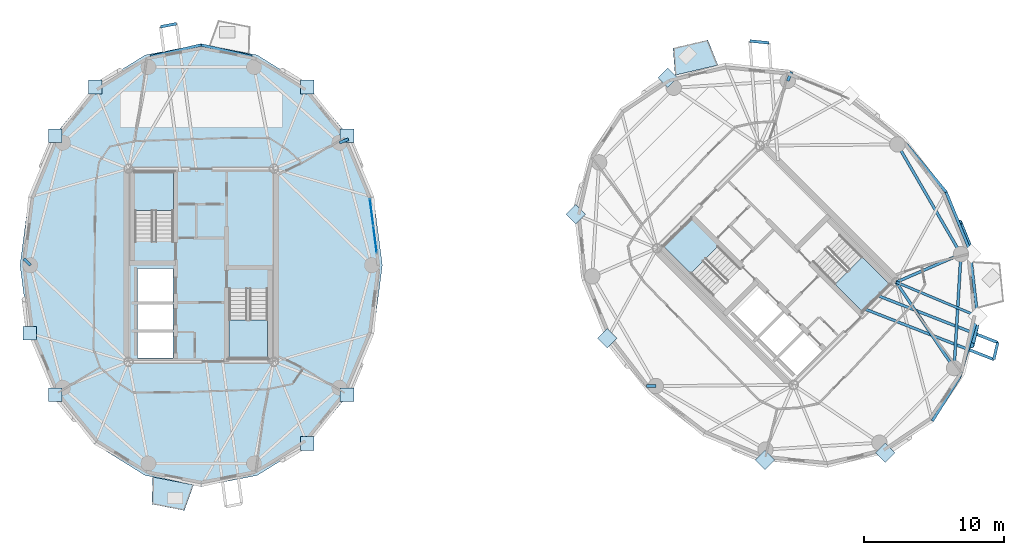
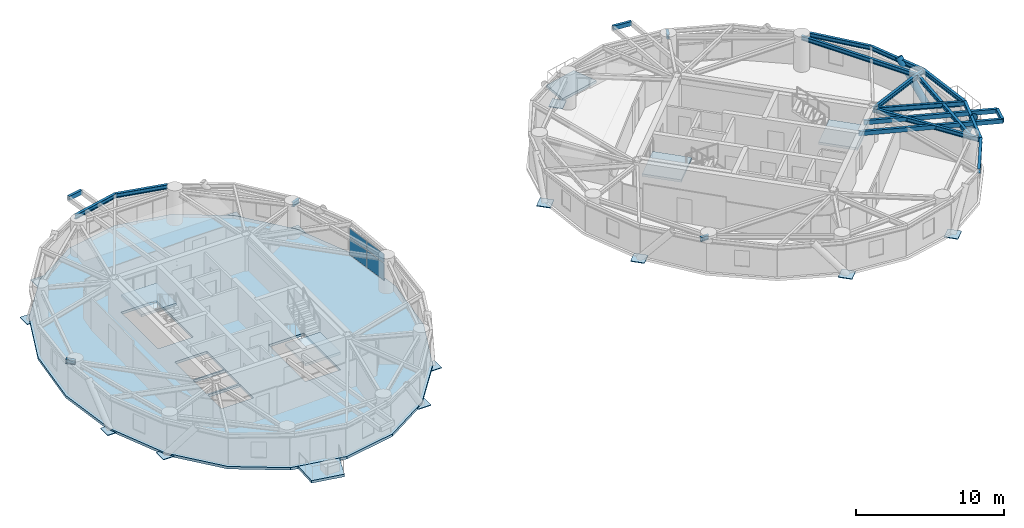
# One storey, part 7 of 16: 21 beams, 17 plates, 7 slabs, 2 members, 5 elements without a shape of their own.
"""IFC4 building model written with IfcOpenShell, lengths in metres."""

from ifc_helpers import new_model, si_unit, direction, frame, origin, origin_2d, place, context, subcontext, project, spatial, polyline, rectangle, hollow_rectangle, hollow_circle, i_section, outline, extrude, source, transform, mapped, material, layer, layer_set, material_profile, profile_set, type_object, element, aggregate, save


model = new_model("IFC4")

# Units and contexts
model_context = context("Model", 3, precision=1e-05, world=origin(), true_north=direction((0.0, 1.0)))
body_context = subcontext(model_context, "Body", "Model", "MODEL_VIEW")
ifc_project = project(units=[si_unit("LENGTHUNIT", "METRE"), si_unit("AREAUNIT", "SQUARE_METRE"), si_unit("VOLUMEUNIT", "CUBIC_METRE"), si_unit("PLANEANGLEUNIT", "RADIAN"), si_unit("MASSUNIT", "GRAM", prefix="KILO")], contexts=[model_context])

# Site, building, storey
site_placement = place(None, origin())
site = spatial("IfcSite", under=ifc_project, at=site_placement, CompositionType="ELEMENT")
building_placement = place(site_placement, origin())
building = spatial("IfcBuilding", under=site, at=building_placement, Name="Cununo Teusaquillo Station Towers", CompositionType="ELEMENT")
storey_placement = place(building_placement, frame((0.0, 0.0, 196.659912109375)))
storey = spatial("IfcBuildingStorey", under=building, at=storey_placement, Name="L62", CompositionType="ELEMENT", Elevation=196.659912109375)

# Beams
ifc_material_1 = material(Name="Steel EN 10025-2 S355J2", Category="steel")
ifc_material_profile_1 = material_profile(ifc_material_1, hollow_rectangle(XDim=0.199951171875, YDim=0.35009765625, WallThickness=0.013916015625, at=origin_2d()), Name="RHS 350x200x14")
ifc_profile_set_1 = profile_set([ifc_material_profile_1], Name="Steel EN 10025-2 S355J2")
beam_type_1 = type_object("IfcBeamType", Name="BM-BAL-CANT", PredefinedType="BEAM", material=ifc_profile_set_1)
beam_1_placement = place(storey_placement, frame((63.785888671875, 21.38134765625, 2.525146484375), z_axis=(0.931262493406, -0.364348965109, 0.0), x_axis=(0.364348965109, 0.931262493406, 0.0)))
element("IfcBeam", 1, at=beam_1_placement, inside=storey, type_object=beam_type_1, Name="L62 Tower B Balcony Cantilever Bracket 2A", PredefinedType="BEAM", context=body_context, shape_type="SweptSolid", body=[
    extrude(hollow_rectangle(XDim=0.199951171875, YDim=0.35009765625, WallThickness=0.013916015625, at=origin_2d()), origin(), (0.0, 0.0, 1.0), 9.8662109375),
])
beam_2_placement = place(storey_placement, frame((64.73388671875, 22.329345703125, 2.525146484375), z_axis=(0.931259704605, -0.364356093101, 0.0), x_axis=(0.364356093101, 0.931259704605, 0.0)))
element("IfcBeam", 2, at=beam_2_placement, inside=storey, type_object=beam_type_1, Name="L62 Tower B Balcony Cantilever Bracket 2B", PredefinedType="BEAM", context=body_context, shape_type="SweptSolid", body=[
    extrude(hollow_rectangle(XDim=0.199951171875, YDim=0.35009765625, WallThickness=0.013916015625, at=origin_2d()), origin(), (0.0, 0.0, 1.0), 9.151123046875),
])
ifc_material_2 = material(Name="Steel ASTM A572 Grade 50", Category="steel")
ifc_material_profile_2 = material_profile(ifc_material_2, i_section(OverallWidth=0.180908203125, OverallDepth=0.4169921875, WebThickness=0.010986328125, FlangeThickness=0.018310546875, FilletRadius=0.012939453125, at=origin_2d()), Name="W16X57")
ifc_profile_set_2 = profile_set([ifc_material_profile_2], Name="Steel ASTM A572 Grade 50")
beam_type_2 = type_object("IfcBeamType", Name="BM-JOIST-1", PredefinedType="JOIST", material=ifc_profile_set_2)
beam_3_placement = place(storey_placement, frame((66.024169921875, 23.29443359375, 2.49169921875), z_axis=(0.922169338565, -0.386786389381, 0.0), x_axis=(0.386786389381, 0.922169338565, 0.0)))
element("IfcBeam", 3, at=beam_3_placement, inside=storey, type_object=beam_type_2, Name="L62 Tower B Radial Spandrel Joist V17", PredefinedType="JOIST", context=body_context, shape_type="SweptSolid", body=[
    extrude(i_section(OverallWidth=0.180908203125, OverallDepth=0.4169921875, WebThickness=0.010986328125, FlangeThickness=0.018310546875, FilletRadius=0.012939453125, at=origin_2d()), origin(), (0.0, 0.0, 1.0), 6.281005859375),
])
ifc_material_3 = material(Name="Steel ASTM A572 Grade 50", Category="steel")
ifc_material_profile_3 = material_profile(ifc_material_3, i_section(OverallWidth=0.2041015625, OverallDepth=0.35009765625, WebThickness=0.008544921875, FlangeThickness=0.01513671875, FilletRadius=0.011962890625, at=origin_2d()), Name="W14X48")
ifc_profile_set_3 = profile_set([ifc_material_profile_3], Name="Steel ASTM A572 Grade 50")
beam_type_3 = type_object("IfcBeamType", Name="BM-RAD-G3", PredefinedType="BEAM", material=ifc_profile_set_3)
beam_4_placement = place(storey_placement, frame((26.347412109375, 33.228515625, 2.525146484375), z_axis=(0.929761307449, 0.368162886738, 0.0), x_axis=(-0.368162886738, 0.929761307449, 0.0)))
element("IfcBeam", 4, at=beam_4_placement, inside=storey, type_object=beam_type_3, Name="L62 Tower A Perimeter Overhang Girder 02B", PredefinedType="BEAM", context=body_context, shape_type="SweptSolid", body=[
    extrude(i_section(OverallWidth=0.2041015625, OverallDepth=0.35009765625, WebThickness=0.008544921875, FlangeThickness=0.01513671875, FilletRadius=0.011962890625, at=origin_2d()), origin(), (0.0, 0.0, 1.0), 0.691650390625),
])
beam_5_placement = place(storey_placement, frame((4.327880859375, 24.5, 2.525146484375), z_axis=(-0.712904743691, 0.701260883283, 0.0), x_axis=(-0.701260883283, -0.712904743691, 0.0)))
element("IfcBeam", 5, at=beam_5_placement, inside=storey, type_object=beam_type_3, Name="L62 Tower A Perimeter Overhang Girder 06B", PredefinedType="BEAM", context=body_context, shape_type="SweptSolid", body=[
    extrude(i_section(OverallWidth=0.2041015625, OverallDepth=0.35009765625, WebThickness=0.008544921875, FlangeThickness=0.01513671875, FilletRadius=0.011962890625, at=origin_2d()), origin(), (0.0, 0.0, 1.0), 0.64990234375),
])
beam_6_placement = place(storey_placement, frame((58.291015625, 37.63525390625, 2.525146484375), z_axis=(0.397409333503, 0.917641445034, 0.0), x_axis=(-0.917641445034, 0.397409333503, 0.0)))
element("IfcBeam", 6, at=beam_6_placement, inside=storey, type_object=beam_type_3, Name="L62 Tower B Perimeter Overhang Girder 02B", PredefinedType="BEAM", context=body_context, shape_type="SweptSolid", body=[
    extrude(i_section(OverallWidth=0.2041015625, OverallDepth=0.35009765625, WebThickness=0.008544921875, FlangeThickness=0.01513671875, FilletRadius=0.011962890625, at=origin_2d()), origin(), (0.0, 0.0, 1.0), 0.691650390625),
])
beam_7_placement = place(storey_placement, frame((48.89306640625, 15.89306640625, 2.525146484375), z_axis=(-0.999962704276, -0.008636553586, 0.0), x_axis=(0.008636553586, -0.999962704276, 0.0)))
element("IfcBeam", 7, at=beam_7_placement, inside=storey, type_object=beam_type_3, Name="L62 Tower B Perimeter Overhang Girder 06B", PredefinedType="BEAM", context=body_context, shape_type="SweptSolid", body=[
    extrude(i_section(OverallWidth=0.2041015625, OverallDepth=0.35009765625, WebThickness=0.008544921875, FlangeThickness=0.01513671875, FilletRadius=0.011962890625, at=origin_2d()), origin(), (0.0, 0.0, 1.0), 0.650146484375),
])
beam_8_placement = place(storey_placement, frame((66.024169921875, 23.29443359375, 2.525146484375), z_axis=(0.558570844079, -0.829456817529, 0.0), x_axis=(0.829456817529, 0.558570844079, 0.0)))
element("IfcBeam", 8, at=beam_8_placement, inside=storey, type_object=beam_type_3, Name="L62 Tower B Continuous Overhanging Radial Girder 09", PredefinedType="BEAM", context=body_context, shape_type="SweptSolid", body=[
    extrude(i_section(OverallWidth=0.2041015625, OverallDepth=0.35009765625, WebThickness=0.008544921875, FlangeThickness=0.01513671875, FilletRadius=0.011962890625, at=origin_2d()), origin(), (0.0, 0.0, 1.0), 8.1240234375),
])
beam_9_placement = place(storey_placement, frame((66.024169921875, 23.29443359375, 2.525146484375), z_axis=(0.917665176837, 0.397354530893, 0.0), x_axis=(-0.397354530893, 0.917665176837, 0.0)))
element("IfcBeam", 9, at=beam_9_placement, inside=storey, type_object=beam_type_3, Name="L62 Tower B Continuous Overhanging Radial Girder 10", PredefinedType="BEAM", context=body_context, shape_type="SweptSolid", body=[
    extrude(i_section(OverallWidth=0.2041015625, OverallDepth=0.35009765625, WebThickness=0.008544921875, FlangeThickness=0.01513671875, FilletRadius=0.011962890625, at=origin_2d()), origin(), (0.0, 0.0, 1.0), 5.716552734375),
])
ifc_material_4 = material(Name="Steel ASTM A572 Grade 50", Category="steel")
ifc_material_profile_4 = material_profile(ifc_material_4, i_section(OverallWidth=0.2041015625, OverallDepth=0.35009765625, WebThickness=0.008544921875, FlangeThickness=0.01513671875, FilletRadius=0.011962890625, at=origin_2d()), Name="W14X48")
ifc_profile_set_4 = profile_set([ifc_material_profile_4], Name="Steel ASTM A572 Grade 50")
beam_type_4 = type_object("IfcBeamType", Name="BM-RING-Z4", PredefinedType="SPANDREL", material=ifc_profile_set_4)
for number, where, z_axis, x_axis, name in (
    (10, (20.118896484375, 39.353515625, 2.525146484375), (-0.97431470066, 0.225190728224, 0.0), (-0.225190728224, -0.97431470066, 0.0), "L62 Tower A Spandrel Ring Beam 05"),
    (11, (16.5, 40.18994140625, 2.525146484375), (-0.97431470066, -0.225190728224, 0.0), (0.225190728224, -0.97431470066, 0.0), "L62 Tower A Spandrel Ring Beam 06"),
):
    element("IfcBeam", number, at=place(storey_placement, frame(where, z_axis=z_axis, x_axis=x_axis)), inside=storey, type_object=beam_type_4, Name=name, PredefinedType="SPANDREL", context=body_context, shape_type="SweptSolid", body=[
        extrude(i_section(OverallWidth=0.2041015625, OverallDepth=0.35009765625, WebThickness=0.008544921875, FlangeThickness=0.01513671875, FilletRadius=0.011962890625, at=origin_2d()), origin(), (0.0, 0.0, 1.0), 3.71435546875),
    ])
beam_10_placement = place(storey_placement, frame((70.146240234375, 17.173095703125, 2.525146484375), z_axis=(0.06012979176, 0.998190567048, 0.0), x_axis=(-0.998190567048, 0.06012979176, 0.0)))
element("IfcBeam", 12, at=beam_10_placement, inside=storey, type_object=beam_type_4, Name="L62 Tower B Structural Column Ring Girder 09", PredefinedType="SPANDREL", context=body_context, shape_type="SweptSolid", body=[
    extrude(i_section(OverallWidth=0.2041015625, OverallDepth=0.35009765625, WebThickness=0.008544921875, FlangeThickness=0.01513671875, FilletRadius=0.011962890625, at=origin_2d()), origin(), (0.0, 0.0, 1.0), 8.132568359375),
])
beam_11_placement = place(storey_placement, frame((70.63525390625, 25.291015625, 2.525146484375), z_axis=(-0.501311121078, 0.865267103202, 0.0), x_axis=(-0.865267103202, -0.501311121078, 0.0)))
element("IfcBeam", 13, at=beam_11_placement, inside=storey, type_object=beam_type_4, Name="L62 Tower B Structural Column Ring Girder 10", PredefinedType="SPANDREL", context=body_context, shape_type="SweptSolid", body=[
    extrude(i_section(OverallWidth=0.2041015625, OverallDepth=0.35009765625, WebThickness=0.008544921875, FlangeThickness=0.01513671875, FilletRadius=0.011962890625, at=origin_2d()), origin(), (0.0, 0.0, 1.0), 9.032958984375),
])
beam_12_placement = place(storey_placement, frame((68.594482421875, 13.405517578125, 2.525146484375), z_axis=(0.529715312739, 0.848175505099, 0.0), x_axis=(-0.848175505099, 0.529715312739, 0.0)))
element("IfcBeam", 14, at=beam_12_placement, inside=storey, type_object=beam_type_4, Name="L62 Tower B Spandrel Ring Beam 16", PredefinedType="SPANDREL", context=body_context, shape_type="SweptSolid", body=[
    extrude(i_section(OverallWidth=0.2041015625, OverallDepth=0.35009765625, WebThickness=0.008544921875, FlangeThickness=0.01513671875, FilletRadius=0.011962890625, at=origin_2d()), origin(), (0.0, 0.0, 1.0), 3.71435546875),
])
beam_13_placement = place(storey_placement, frame((70.56201171875, 16.555908203125, 2.525146484375), z_axis=(0.279502797802, 0.96014487762, 0.0), x_axis=(-0.96014487762, 0.279502797802, 0.0)))
element("IfcBeam", 15, at=beam_13_placement, inside=storey, type_object=beam_type_4, Name="L62 Tower B Spandrel Ring Beam 17", PredefinedType="SPANDREL", context=body_context, shape_type="SweptSolid", body=[
    extrude(i_section(OverallWidth=0.2041015625, OverallDepth=0.35009765625, WebThickness=0.008544921875, FlangeThickness=0.01513671875, FilletRadius=0.011962890625, at=origin_2d()), origin(), (0.0, 0.0, 1.0), 4.488037109375),
])
beam_14_placement = place(storey_placement, frame((71.81640625, 20.864990234375, 2.525146484375), z_axis=(-0.115452326356, 0.993313022334, 0.0), x_axis=(-0.993313022334, -0.115452326356, 0.0)))
element("IfcBeam", 16, at=beam_14_placement, inside=storey, type_object=beam_type_4, Name="L62 Tower B Spandrel Ring Beam 18", PredefinedType="SPANDREL", context=body_context, shape_type="SweptSolid", body=[
    extrude(i_section(OverallWidth=0.2041015625, OverallDepth=0.35009765625, WebThickness=0.008544921875, FlangeThickness=0.01513671875, FilletRadius=0.011962890625, at=origin_2d()), origin(), (0.0, 0.0, 1.0), 4.732666015625),
])
beam_15_placement = place(storey_placement, frame((71.27001953125, 25.56591796875, 2.525146484375), z_axis=(-0.379275405388, 0.925283830437, 0.0), x_axis=(-0.925283830437, -0.379275405388, 0.0)))
element("IfcBeam", 17, at=beam_15_placement, inside=storey, type_object=beam_type_4, Name="L62 Tower B Spandrel Ring Beam 19", PredefinedType="SPANDREL", context=body_context, shape_type="SweptSolid", body=[
    extrude(i_section(OverallWidth=0.2041015625, OverallDepth=0.35009765625, WebThickness=0.008544921875, FlangeThickness=0.01513671875, FilletRadius=0.011962890625, at=origin_2d()), origin(), (0.0, 0.0, 1.0), 4.482177734375),
])
beam_16_placement = place(storey_placement, frame((69.570068359375, 29.713134765625, 2.525146484375), z_axis=(-0.637524682095, 0.770429931739, 0.0), x_axis=(-0.770429931739, -0.637524682095, 0.0)))
element("IfcBeam", 18, at=beam_16_placement, inside=storey, type_object=beam_type_4, Name="L62 Tower B Spandrel Ring Beam 20", PredefinedType="SPANDREL", context=body_context, shape_type="SweptSolid", body=[
    extrude(i_section(OverallWidth=0.2041015625, OverallDepth=0.35009765625, WebThickness=0.008544921875, FlangeThickness=0.01513671875, FilletRadius=0.011962890625, at=origin_2d()), origin(), (0.0, 0.0, 1.0), 4.412353515625),
])
ifc_material_5 = material(Name="Steel EN 10025-2 S355J2", Category="steel")
ifc_material_profile_5 = material_profile(ifc_material_5, hollow_rectangle(XDim=0.199951171875, YDim=0.35009765625, WallThickness=0.013916015625, at=origin_2d()), Name="RHS 350x200x14")
ifc_profile_set_5 = profile_set([ifc_material_profile_5], Name="Steel EN 10025-2 S355J2")
beam_type_5 = type_object("IfcBeamType", Name="BM-STAIR-TRIM", PredefinedType="BEAM", material=ifc_profile_set_5)
beam_17_placement = place(storey_placement, frame((14.73828125, 41.708984375, 2.525146484375), z_axis=(-0.981857200028, -0.189621830897, 0.0), x_axis=(0.189621830897, -0.981857200028, 0.0)))
element("IfcBeam", 19, at=beam_17_placement, inside=storey, type_object=beam_type_5, Name="L62 Tower A Balcony Edge Trimmer Beam 1", PredefinedType="BEAM", context=body_context, shape_type="SweptSolid", body=[
    extrude(hollow_rectangle(XDim=0.199951171875, YDim=0.35009765625, WallThickness=0.013916015625, at=origin_2d()), origin(), (0.0, 0.0, 1.0), 1.157470703125),
])
beam_18_placement = place(storey_placement, frame((56.953125, 40.34423828125, 2.525146484375), z_axis=(-0.995130284022, 0.098568340868, 0.0), x_axis=(-0.098568340868, -0.995130284022, 0.0)))
element("IfcBeam", 20, at=beam_18_placement, inside=storey, type_object=beam_type_5, Name="L62 Tower B Balcony Edge Trimmer Beam 1", PredefinedType="BEAM", context=body_context, shape_type="SweptSolid", body=[
    extrude(hollow_rectangle(XDim=0.199951171875, YDim=0.35009765625, WallThickness=0.013916015625, at=origin_2d()), origin(), (0.0, 0.0, 1.0), 1.36962890625),
])
beam_19_placement = place(storey_placement, frame((72.973876953125, 17.78662109375, 2.525146484375), z_axis=(0.227229615606, 0.973841209742, 0.0), x_axis=(-0.973841209742, 0.227229615606, 0.0)))
element("IfcBeam", 21, at=beam_19_placement, inside=storey, type_object=beam_type_5, Name="L62 Tower B Balcony Edge Trimmer Beam 2", PredefinedType="BEAM", context=body_context, shape_type="SweptSolid", body=[
    extrude(hollow_rectangle(XDim=0.199951171875, YDim=0.35009765625, WallThickness=0.013916015625, at=origin_2d()), origin(), (0.0, 0.0, 1.0), 1.240966796875),
])

# Members
ifc_material_6 = material(Name="Steel EN 10025-2 S355J2", Category="steel")
ifc_material_profile_6 = material_profile(ifc_material_6, hollow_circle(Radius=0.25390625, WallThickness=0.01806640625, at=origin_2d()), Name="CHS 508x18")
ifc_profile_set_6 = profile_set([ifc_material_profile_6], Name="Steel EN 10025-2 S355J2")
member_type = type_object("IfcMemberType", Name="MBR-DIAG-Z4", PredefinedType="BRACE", material=ifc_profile_set_6)
member_1_placement = place(storey_placement, frame((71.81640625, 20.864990234375, -0.139892578125), z_axis=(-0.13314567374, -0.571575356555, 0.809675145564), x_axis=(0.97392481585, -0.226871005356, 0.0)))
element("IfcMember", 22, at=member_1_placement, inside=storey, type_object=member_type, Name="L62 Tower B Folded-Zigzag Diagrid Tube C16", PredefinedType="BRACE", context=body_context, shape_type="SweptSolid", body=[
    extrude(hollow_circle(Radius=0.25390625, WallThickness=0.01806640625, at=origin_2d()), origin(), (0.0, 0.0, 1.0), 3.593994140625),
])
member_2_placement = place(storey_placement, frame((71.372314453125, 25.329833984375, -0.139892578125), z_axis=(-0.240125007618, 0.584015766292, 0.775413157896), x_axis=(-0.924874275738, -0.380273025704, 0.0)))
element("IfcMember", 23, at=member_2_placement, inside=storey, type_object=member_type, Name="L62 Tower B Folded-Zigzag Diagrid Tube C18", PredefinedType="BRACE", context=body_context, shape_type="SweptSolid", body=[
    extrude(hollow_circle(Radius=0.25390625, WallThickness=0.01806640625, at=origin_2d()), origin(), (0.0, 0.0, 1.0), 3.752685546875),
])

# Slabs
ifc_material_7 = material(Name="Concrete C50/60", Category="concrete")
ifc_layer_1 = layer(ifc_material_7, 0.2099609375)
ifc_layer_set_1 = layer_set([ifc_layer_1], Name="Concrete C50/60")
slab_type_1 = type_object("IfcSlabType", Name="SLB-BAL-210", PredefinedType="FLOOR", material=ifc_layer_set_1)
slab_1_placement = place(storey_placement, frame((0.0, 0.0, -0.2099609375)))
element("IfcSlab", 24, at=slab_1_placement, inside=storey, type_object=slab_type_1, Name="L62 Tower A Tree Balcony Slab 2", PredefinedType="FLOOR", context=body_context, shape_type="SweptSolid", body=[
    extrude(outline(polyline([(13.0498046875, 9.41162109375), (15.958984375, 8.849365234375), (15.30126953125, 7.026123046875), (12.98095703125, 7.474609375), (13.0498046875, 9.41162109375)])), origin(), (0.0, 0.0, 1.0), 0.2099609375),
])
slab_2_placement = place(storey_placement, frame((0.0, 0.0, -0.2099609375)))
element("IfcSlab", 25, at=slab_2_placement, inside=storey, type_object=slab_type_1, Name="L62 Tower B Tree Balcony Slab 1", PredefinedType="FLOOR", context=body_context, shape_type="SweptSolid", body=[
    extrude(outline(polyline([(53.319091796875, 38.755615234375), (50.263671875, 38.04248046875), (50.12060546875, 39.9755859375), (52.591796875, 40.55224609375), (53.319091796875, 38.755615234375)])), origin(), (0.0, 0.0, 1.0), 0.2099609375),
])

# Stair, slab
ifc_material_8 = material(Name="Concrete C50/60", Category="concrete")
stair_type = type_object("IfcStairType", Name="ST-TWR-1300", PredefinedType="HALF_TURN_STAIR", material=ifc_material_8)
stair_1_placement = place(storey_placement, origin())
stair_1 = element("IfcStair", 26, at=stair_1_placement, inside=storey, type_object=stair_type, Name="L62 Tower A Protected Core Exit Stair 1", PredefinedType="HALF_TURN_STAIR")
ifc_material_9 = material(Name="Concrete C50/60", Category="concrete")
ifc_layer_2 = layer(ifc_material_9, 0.199951171875)
ifc_layer_set_2 = layer_set([ifc_layer_2], Name="Concrete C50/60")
slab_type_2 = type_object("IfcSlabType", Name="SLB-STAIR-LND", PredefinedType="LANDING", material=ifc_layer_set_2)
slab_3_placement = place(storey_placement, frame((0.0, 0.0, 1.255126953125)))
slab_3 = element("IfcSlab", 27, at=slab_3_placement, type_object=slab_type_2, Name="ST-T1-1 landing 1", PredefinedType="LANDING", context=body_context, shape_type="SweptSolid", body=[
    extrude(outline(polyline([(14.52001953125, 28.409912109375), (14.52001953125, 31.159912109375), (11.760009765625, 31.159912109375), (11.760009765625, 28.409912109375), (14.52001953125, 28.409912109375)])), origin(), (0.0, 0.0, 1.0), 0.199951171875),
])
aggregate(stair_1, [slab_3])

stair_2_placement = place(storey_placement, origin())
stair_2 = element("IfcStair", 28, at=stair_2_placement, inside=storey, type_object=stair_type, Name="L62 Tower A Protected Core Exit Stair 2", PredefinedType="HALF_TURN_STAIR")
slab_4_placement = place(storey_placement, frame((0.0, 0.0, 1.255126953125)))
slab_4 = element("IfcSlab", 29, at=slab_4_placement, type_object=slab_type_2, Name="ST-T1-2 landing 1", PredefinedType="LANDING", context=body_context, shape_type="SweptSolid", body=[
    extrude(outline(polyline([(18.47998046875, 20.590087890625), (18.47998046875, 17.840087890625), (21.239990234375, 17.840087890625), (21.239990234375, 20.590087890625), (18.47998046875, 20.590087890625)])), origin(), (0.0, 0.0, 1.0), 0.199951171875),
])
aggregate(stair_2, [slab_4])

stair_3_placement = place(storey_placement, origin())
stair_3 = element("IfcStair", 30, at=stair_3_placement, inside=storey, type_object=stair_type, Name="L62 Tower B Protected Core Exit Stair 1", PredefinedType="HALF_TURN_STAIR")
slab_5_placement = place(storey_placement, frame((0.0, 0.0, 1.255126953125)))
slab_5 = element("IfcSlab", 31, at=slab_5_placement, type_object=slab_type_2, Name="ST-T2-1 landing 1", PredefinedType="LANDING", context=body_context, shape_type="SweptSolid", body=[
    extrude(outline(polyline([(53.335205078125, 25.86474609375), (51.390625, 27.809326171875), (49.43896484375, 25.857666015625), (51.383544921875, 23.9130859375), (53.335205078125, 25.86474609375)])), origin(), (0.0, 0.0, 1.0), 0.199951171875),
])
aggregate(stair_3, [slab_5])

stair_4_placement = place(storey_placement, origin())
stair_4 = element("IfcStair", 32, at=stair_4_placement, inside=storey, type_object=stair_type, Name="L62 Tower B Protected Core Exit Stair 2", PredefinedType="HALF_TURN_STAIR")
slab_6_placement = place(storey_placement, frame((0.0, 0.0, 1.255126953125)))
slab_6 = element("IfcSlab", 33, at=slab_6_placement, type_object=slab_type_2, Name="ST-T2-2 landing 1", PredefinedType="LANDING", context=body_context, shape_type="SweptSolid", body=[
    extrude(outline(polyline([(61.664794921875, 23.13525390625), (63.609375, 21.190673828125), (65.56103515625, 23.142333984375), (63.616455078125, 25.0869140625), (61.664794921875, 23.13525390625)])), origin(), (0.0, 0.0, 1.0), 0.199951171875),
])
aggregate(stair_4, [slab_6])

# Slab
ifc_material_10 = material(Name="Concrete C40/50", Category="concrete")
ifc_layer_3 = layer(ifc_material_10, 0.2099609375)
ifc_layer_set_3 = layer_set([ifc_layer_3], Name="Concrete C40/50")
slab_type_3 = type_object("IfcSlabType", Name="SLB-Z4-200", PredefinedType="FLOOR", material=ifc_layer_set_3)
slab_7_placement = place(storey_placement, frame((0.0, 0.0, -0.2099609375)))
element("IfcSlab", 34, at=slab_7_placement, inside=storey, type_object=slab_type_3, Name="L62 Tower A Floor Slab", PredefinedType="FLOOR", context=body_context, shape_type="SweptSolid", body=[
    extrude(outline(polyline([(29.409912109375, 24.5), (28.778076171875, 29.366943359375), (26.9443359375, 33.757568359375), (24.08837890625, 37.241943359375), (20.489501953125, 39.47900390625), (16.5, 40.25), (12.510498046875, 39.47900390625), (8.91162109375, 37.241943359375), (6.0556640625, 33.757568359375), (4.221923828125, 29.366943359375), (3.590087890625, 24.5), (4.221923828125, 19.633056640625), (6.0556640625, 15.242431640625), (8.91162109375, 11.758056640625), (12.510498046875, 9.52099609375), (16.5, 8.75), (20.489501953125, 9.52099609375), (24.08837890625, 11.758056640625), (26.9443359375, 15.242431640625), (28.778076171875, 19.633056640625), (29.409912109375, 24.5)]), holes=[polyline([(14.52001953125, 26.176025390625), (14.52001953125, 31.159912109375), (11.760009765625, 31.159912109375), (11.760009765625, 26.176025390625), (14.52001953125, 26.176025390625)]), polyline([(18.47998046875, 22.823974609375), (18.47998046875, 17.840087890625), (21.239990234375, 17.840087890625), (21.239990234375, 22.823974609375), (18.47998046875, 22.823974609375)]), polyline([(11.949951171875, 21.85009765625), (14.47998046875, 21.85009765625), (14.47998046875, 24.25), (11.949951171875, 24.25), (11.949951171875, 21.85009765625)]), polyline([(11.949951171875, 17.89990234375), (14.47998046875, 17.89990234375), (14.47998046875, 19.75), (11.949951171875, 19.75), (11.949951171875, 17.89990234375)]), polyline([(11.949951171875, 19.89990234375), (14.47998046875, 19.89990234375), (14.47998046875, 21.75), (11.949951171875, 21.75), (11.949951171875, 19.89990234375)])]), origin(), (0.0, 0.0, 1.0), 0.2099609375),
])

# Plates
ifc_material_11 = material(Name="Steel ASTM A572 Grade 50", Category="steel")
ifc_layer_4 = layer(ifc_material_11, 0.054931640625)
ifc_layer_set_4 = layer_set([ifc_layer_4], Name="Steel ASTM A572 Grade 50")
plate_type_1 = type_object("IfcPlateType", Name="PLT-NODE-KDN1", PredefinedType="USERDEFINED", material=ifc_layer_set_4)
shared_shape_1 = source(origin(), body_context, "Body", "SweptSolid", [
    extrude(rectangle(XDim=0.97998046875, YDim=0.97998046875, at=origin_2d()), origin(), (0.0, 0.0, 1.0), 0.054931640625),
])
for number, where, z_axis, x_axis, name in (
    (35, (26.89599609375, 33.722412109375, -0.16748046875), (0.0, 0.0, 1.0), (1.0, 0.0, 0.0), "L62 Tower A Diagrid Node Assembly C01"),
    (36, (24.052978515625, 37.193603515625, -0.16748046875), (0.0, 0.0, 1.0), (1.0, 0.0, 0.0), "L62 Tower A Diagrid Node Assembly C03"),
    (37, (8.947021484375, 37.193603515625, -0.16748046875), (0.0, 0.0, 1.0), (1.0, 0.0, 0.0), "L62 Tower A Diagrid Node Assembly C06"),
    (38, (6.10400390625, 33.722412109375, -0.16748046875), (0.0, 0.0, 1.0), (1.0, 0.0, 0.0), "L62 Tower A Diagrid Node Assembly C08"),
    (39, (4.27880859375, 19.651611328125, -0.16748046875), (0.0, 0.0, 1.0), (1.0, 0.0, 0.0), "L62 Tower A Diagrid Node Assembly C10"),
    (40, (6.10400390625, 15.277587890625, -0.16748046875), (0.0, 0.0, 1.0), (1.0, 0.0, 0.0), "L62 Tower A Diagrid Node Assembly C12"),
    (41, (24.052978515625, 11.806396484375, -0.16748046875), (0.0, 0.0, 1.0), (1.0, 0.0, 0.0), "L62 Tower A Diagrid Node Assembly C16"),
    (42, (26.89599609375, 15.277587890625, -0.16748046875), (0.0, 0.0, 1.0), (1.0, 0.0, 0.0), "L62 Tower A Diagrid Node Assembly C18"),
    (43, (49.75634765625, 37.859375, -0.16748046875), (0.0, 0.0, 1.0), (0.707106781187, 0.707106781187, 0.0), "L62 Tower B Diagrid Node Assembly C04"),
    (44, (43.18359375, 28.135009765625, -0.16748046875), (0.0, 0.0, 1.0), (0.707106781187, 0.707106781187, 0.0), "L62 Tower B Diagrid Node Assembly C06"),
    (45, (45.429931640625, 19.286865234375, -0.16748046875), (0.0, 0.0, 1.0), (0.707106781187, 0.707106781187, 0.0), "L62 Tower B Diagrid Node Assembly C09"),
    (46, (56.670166015625, 10.627685546875, -0.16748046875), (0.0, 0.0, 1.0), (0.707106781187, 0.707106781187, 0.0), "L62 Tower B Diagrid Node Assembly C11"),
    (47, (65.24365234375, 11.140625, -0.16748046875), (0.0, 0.0, 1.0), (0.707106781187, 0.707106781187, 0.0), "L62 Tower B Diagrid Node Assembly C14"),
):
    element("IfcPlate", number, at=place(storey_placement, frame(where, z_axis=z_axis, x_axis=x_axis)), inside=storey, type_object=plate_type_1, Name=name, ObjectType="GUSSET PLATE", PredefinedType="USERDEFINED", context=body_context, shape_type="MappedRepresentation", body=[
        mapped(shared_shape_1, transform((0.0, 0.0, 0.0), x_axis=(1.0, 0.0, 0.0), y_axis=(0.0, 1.0, 0.0), z_axis=(0.0, 0.0, 1.0), scale=1.0)),
    ])

# Curtain wall, plates
ifc_material_12 = material(Name="Ceramic-fritted dark low-E double glazing", Category="glass")
ifc_layer_5 = layer(ifc_material_12, 0.179931640625)
ifc_layer_set_5 = layer_set([ifc_layer_5], Name="Ceramic-fritted dark low-E double glazing")
curtain_wall_type = type_object("IfcCurtainWallType", Name="CW-SYS-07", PredefinedType="USERDEFINED", material=ifc_layer_set_5)
curtain_wall_placement = place(storey_placement, origin())
curtain_wall = element("IfcCurtainWall", 48, at=curtain_wall_placement, inside=storey, type_object=curtain_wall_type, Name="L62 Tower A Facade Curtain Wall C00", ObjectType="FRITTED GLAZING", PredefinedType="USERDEFINED")
ifc_material_13 = material(Name="Ceramic-fritted dark low-E double glazing", Category="glass")
ifc_layer_6 = layer(ifc_material_13, 0.028076171875)
ifc_layer_set_6 = layer_set([ifc_layer_6], Name="Ceramic-fritted dark low-E double glazing")
plate_type_2 = type_object("IfcPlateType", Name="CWP-FRIT-28", PredefinedType="CURTAIN_PANEL", material=ifc_layer_set_6)
shared_shape_2 = source(origin(), body_context, "Body", "SweptSolid", [
    extrude(rectangle(XDim=1.8876953125, YDim=0.028076171875, at=origin_2d()), origin(), (0.0, 0.0, 1.0), 1.41162109375),
])
plate_1_placement = place(storey_placement, frame((28.64111328125, 28.280029296875, 0.06494140625), z_axis=(0.0, 0.0, 1.0), x_axis=(0.12825264413, -0.991741528461, 0.0)))
plate_1 = element("IfcPlate", 49, at=plate_1_placement, type_object=plate_type_2, Name="CW-07 panel 1.1", PredefinedType="CURTAIN_PANEL", context=body_context, shape_type="MappedRepresentation", body=[
    mapped(shared_shape_2, transform((0.0, 0.0, 0.0), x_axis=(1.0, 0.0, 0.0), y_axis=(0.0, 1.0, 0.0), z_axis=(0.0, 0.0, 1.0), scale=1.0)),
])
plate_2_placement = place(storey_placement, frame((28.8916015625, 26.343505859375, 0.06494140625), z_axis=(0.0, 0.0, 1.0), x_axis=(0.12825264413, -0.991741528461, 0.0)))
plate_2 = element("IfcPlate", 50, at=plate_2_placement, type_object=plate_type_2, Name="CW-07 panel 2.1", PredefinedType="CURTAIN_PANEL", context=body_context, shape_type="MappedRepresentation", body=[
    mapped(shared_shape_2, transform((0.0, 0.0, 0.0), x_axis=(1.0, 0.0, 0.0), y_axis=(0.0, 1.0, 0.0), z_axis=(0.0, 0.0, 1.0), scale=1.0)),
])
shared_shape_3 = source(origin(), body_context, "Body", "SweptSolid", [
    extrude(rectangle(XDim=1.8876953125, YDim=0.028076171875, at=origin_2d()), origin(), (0.0, 0.0, 1.0), 0.715576171875),
])
plate_3_placement = place(storey_placement, frame((28.64111328125, 28.280029296875, 1.54150390625), z_axis=(0.0, 0.0, 1.0), x_axis=(0.12825264413, -0.991741528461, 0.0)))
plate_3 = element("IfcPlate", 51, at=plate_3_placement, type_object=plate_type_2, Name="CW-07 panel 1.2", PredefinedType="CURTAIN_PANEL", context=body_context, shape_type="MappedRepresentation", body=[
    mapped(shared_shape_3, transform((0.0, 0.0, 0.0), x_axis=(1.0, 0.0, 0.0), y_axis=(0.0, 1.0, 0.0), z_axis=(0.0, 0.0, 1.0), scale=1.0)),
])
plate_4_placement = place(storey_placement, frame((28.8916015625, 26.343505859375, 1.54150390625), z_axis=(0.0, 0.0, 1.0), x_axis=(0.12825264413, -0.991741528461, 0.0)))
plate_4 = element("IfcPlate", 52, at=plate_4_placement, type_object=plate_type_2, Name="CW-07 panel 2.2", PredefinedType="CURTAIN_PANEL", context=body_context, shape_type="MappedRepresentation", body=[
    mapped(shared_shape_3, transform((0.0, 0.0, 0.0), x_axis=(1.0, 0.0, 0.0), y_axis=(0.0, 1.0, 0.0), z_axis=(0.0, 0.0, 1.0), scale=1.0)),
])
aggregate(curtain_wall, [plate_1, plate_3, plate_2, plate_4])

save(model, "model.ifc")
